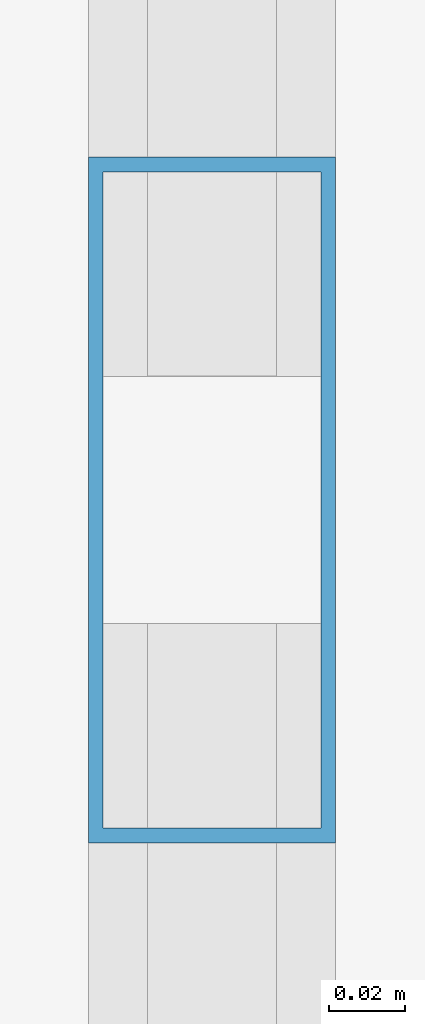
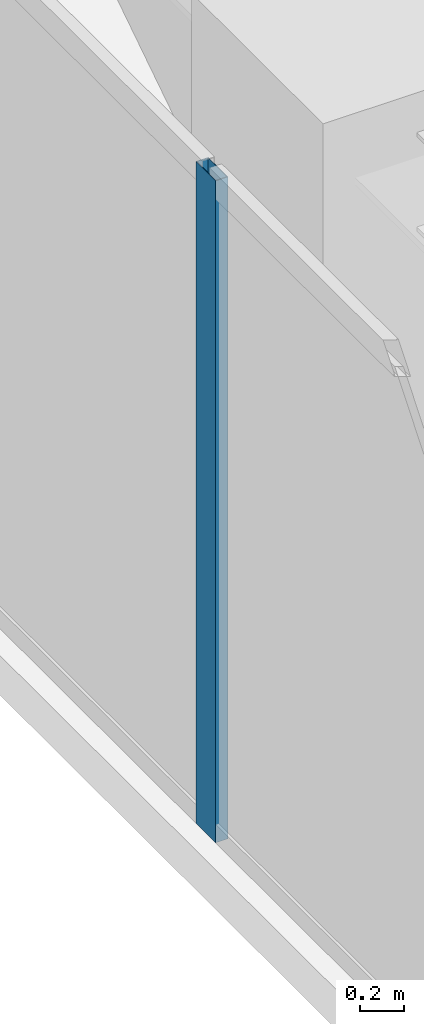
# One storey, part 13 of 30: 1 member, 1 element without a shape of its own.
"""IFC4 building model written with IfcOpenShell, lengths in metres."""

from ifc_helpers import new_model, si_unit, direction, frame, origin, origin_2d, place, context, subcontext, project, spatial, hollow_rectangle, extrude, material, layer, layer_set, material_profile, profile_set, type_object, element, aggregate, save


model = new_model("IFC4")

# Units and contexts
model_context = context("Model", 3, precision=1e-05, world=origin(), true_north=direction((0.0, 1.0)))
body_context = subcontext(model_context, "Body", "Model", "MODEL_VIEW")
ifc_project = project(units=[si_unit("LENGTHUNIT", "METRE"), si_unit("AREAUNIT", "SQUARE_METRE"), si_unit("VOLUMEUNIT", "CUBIC_METRE"), si_unit("PLANEANGLEUNIT", "RADIAN"), si_unit("MASSUNIT", "GRAM", prefix="KILO")], contexts=[model_context])

# Site, building, storey
site_placement = place(None, origin())
site = spatial("IfcSite", under=ifc_project, at=site_placement, CompositionType="ELEMENT")
building_placement = place(site_placement, origin())
building = spatial("IfcBuilding", under=site, at=building_placement, Name="Kiyonajd Concourse Tower", CompositionType="ELEMENT")
storey_placement = place(building_placement, frame((0.0, 0.0, 177.89990234375)))
storey = spatial("IfcBuildingStorey", under=building, at=storey_placement, Name="L45", CompositionType="ELEMENT", Elevation=177.89990234375)

# Curtain wall, member
ifc_material = material(Name="Thermally Broken Anodised Aluminium", Category="aluminium")
ifc_layer = layer(ifc_material, 0.179931640625)
ifc_layer_set = layer_set([ifc_layer], Name="Thermally Broken Anodised Aluminium")
curtain_wall_type = type_object("IfcCurtainWallType", Name="CW-SYS-03", PredefinedType="NOTDEFINED", material=ifc_layer_set)
curtain_wall_placement = place(storey_placement, origin())
curtain_wall = element("IfcCurtainWall", 1, at=curtain_wall_placement, inside=storey, type_object=curtain_wall_type, Name="L45 Unitised Curtain Wall CW3", PredefinedType="NOTDEFINED")
ifc_material_profile = material_profile(ifc_material, hollow_rectangle(XDim=0.06494140625, YDim=0.179931640625, WallThickness=0.00390625, at=origin_2d()), Name="MULL-65x180")
ifc_profile_set = profile_set([ifc_material_profile], Name="Thermally Broken Anodised Aluminium")
member_type = type_object("IfcMemberType", Name="MB-CW-MULL1", PredefinedType="MULLION", material=ifc_profile_set)
member_placement = place(storey_placement, frame((18.139892578125, 53.0146484375, 0.0), z_axis=(0.0, 0.0, 1.0), x_axis=(-1.0, 0.0, 0.0)))
member = element("IfcMember", 2, at=member_placement, type_object=member_type, Name="CW3 mullion 6", PredefinedType="MULLION", context=body_context, shape_type="SweptSolid", body=[
    extrude(hollow_rectangle(XDim=0.06494140625, YDim=0.179931640625, WallThickness=0.00390625, at=origin_2d()), origin(), (0.0, 0.0, 1.0), 3.68017578125),
])
aggregate(curtain_wall, [member])

save(model, "model.ifc")
